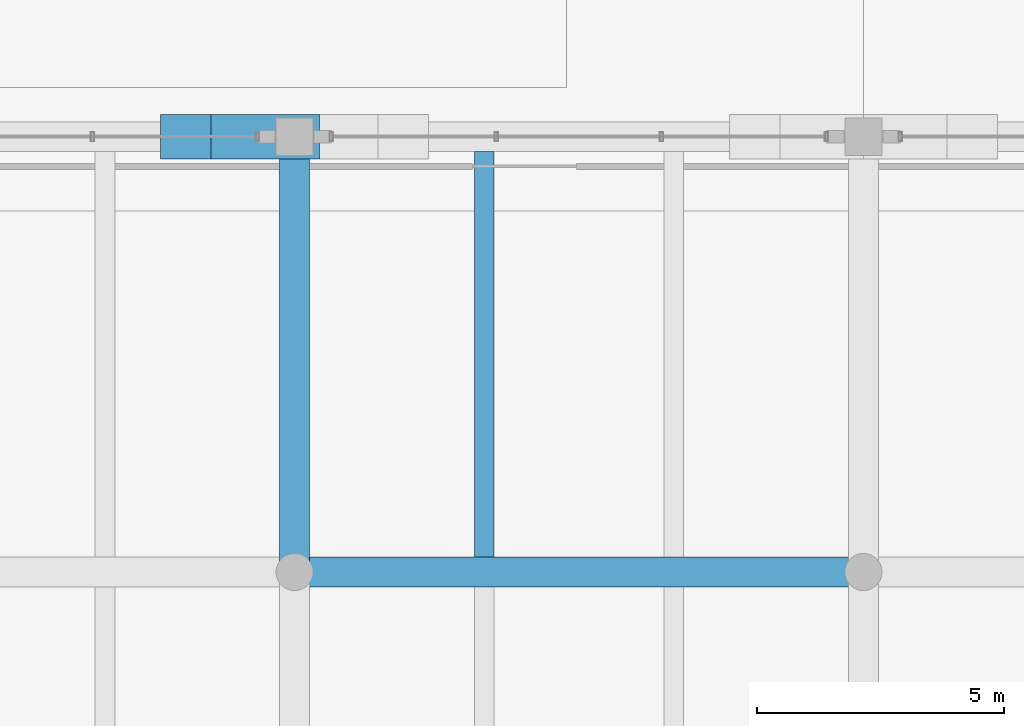
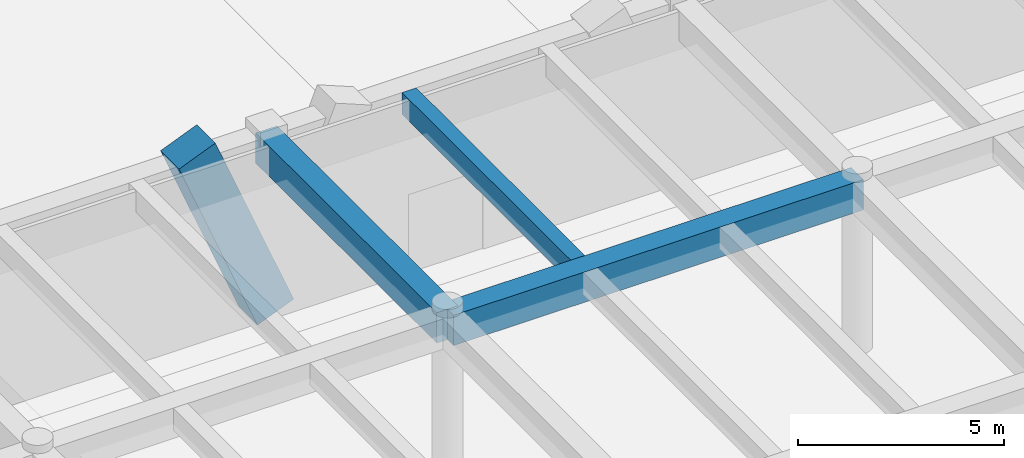
# One storey, part 33 of 148: 3 beams, 1 member.
"""IFC4 building model written with IfcOpenShell, lengths in metres."""

from ifc_helpers import new_model, si_unit, direction, frame, origin, origin_2d, place, context, subcontext, project, spatial, rectangle, extrude, material, material_profile, profile_set, type_object, element, save


model = new_model("IFC4")

# Units and contexts
model_context = context("Model", 3, precision=1e-05, world=origin(), true_north=direction((0.0, 1.0)))
body_context = subcontext(model_context, "Body", "Model", "MODEL_VIEW")
ifc_project = project(units=[si_unit("LENGTHUNIT", "METRE"), si_unit("AREAUNIT", "SQUARE_METRE"), si_unit("VOLUMEUNIT", "CUBIC_METRE"), si_unit("PLANEANGLEUNIT", "RADIAN"), si_unit("MASSUNIT", "GRAM", prefix="KILO")], contexts=[model_context])

# Site, building, storey
site_placement = place(None, origin())
site = spatial("IfcSite", under=ifc_project, at=site_placement, CompositionType="ELEMENT")
building_placement = place(site_placement, origin())
building = spatial("IfcBuilding", under=site, at=building_placement, Name="Ologun Quay Terminus", CompositionType="ELEMENT")
storey_placement = place(building_placement, frame((0.0, 0.0, 8.39990234375)))
storey = spatial("IfcBuildingStorey", under=building, at=storey_placement, Name="L02", CompositionType="ELEMENT", Elevation=8.39990234375)

# Member
ifc_material_1 = material(Name="Concrete C45/55", Category="concrete")
ifc_material_profile_1 = material_profile(ifc_material_1, rectangle(XDim=0.89990234375, YDim=1.10009765625, at=origin_2d()), Name="RC 900x1100")
ifc_profile_set_1 = profile_set([ifc_material_profile_1], Name="Concrete C45/55")
member_type = type_object("IfcMemberType", Name="Sculpted Concrete Arch V-Buttress Strut 900x1100", PredefinedType="STRUT", material=ifc_profile_set_1)
member_placement = place(storey_placement, frame((80.5, 36.0, 0.0), z_axis=(-0.377280927807, 0.0, 0.926098861631), x_axis=(0.0, -1.0, 0.0)))
element("IfcMember", 1, at=member_placement, inside=storey, type_object=member_type, Name="VS1 Arch V-Buttress West Limb 8/E", PredefinedType="STRUT", context=body_context, shape_type="SweptSolid", body=[
    extrude(rectangle(XDim=0.89990234375, YDim=1.10009765625, at=origin_2d()), origin(), (0.0, 0.0, 1.0), 5.8310546875),
])

# Beams
ifc_material_2 = material(Name="Concrete C40/50", Category="concrete")
ifc_material_profile_2 = material_profile(ifc_material_2, rectangle(XDim=0.60009765625, YDim=0.89990234375, at=origin_2d()), Name="RC 600x900")
ifc_profile_set_2 = profile_set([ifc_material_profile_2], Name="Concrete C40/50")
beam_type_1 = type_object("IfcBeamType", Name="Station Frame Girder 600x900", PredefinedType="BEAM", material=ifc_profile_set_2)
beam_1_placement = place(storey_placement, frame((80.5, 27.199951171875, 4.7001953125), z_axis=(1.0, 0.0, 0.0), x_axis=(0.0, 1.0, 0.0)))
element("IfcBeam", 2, at=beam_1_placement, inside=storey, type_object=beam_type_1, Name="B3 Beam 8/D L02", PredefinedType="BEAM", context=body_context, shape_type="SweptSolid", body=[
    extrude(rectangle(XDim=0.60009765625, YDim=0.89990234375, at=origin_2d()), origin(), (0.0, 0.0, 1.0), 11.5),
])
beam_2_placement = place(storey_placement, frame((80.5, 27.199951171875, 4.7001953125), z_axis=(0.0, 1.0, 0.0), x_axis=(-1.0, 0.0, 0.0)))
element("IfcBeam", 3, at=beam_2_placement, inside=storey, type_object=beam_type_1, Name="B3 Beam 8/D L02", PredefinedType="BEAM", context=body_context, shape_type="SweptSolid", body=[
    extrude(rectangle(XDim=0.60009765625, YDim=0.89990234375, at=origin_2d()), origin(), (0.0, 0.0, 1.0), 8.800048828125),
])
ifc_material_3 = material(Name="Concrete C40/50", Category="concrete")
ifc_material_profile_3 = material_profile(ifc_material_3, rectangle(XDim=0.39990234375, YDim=0.64990234375, at=origin_2d()), Name="RC 400x650")
ifc_profile_set_3 = profile_set([ifc_material_profile_3], Name="Concrete C40/50")
beam_type_2 = type_object("IfcBeamType", Name="Station Secondary Joist 400x650", PredefinedType="JOIST", material=ifc_profile_set_3)
beam_3_placement = place(storey_placement, frame((84.333251953125, 27.5, 4.8251953125), z_axis=(0.0, 1.0, 0.0), x_axis=(-1.0, 0.0, 0.0)))
element("IfcBeam", 4, at=beam_3_placement, inside=storey, type_object=beam_type_2, Name="J1 Beam 8/D L02", PredefinedType="JOIST", context=body_context, shape_type="SweptSolid", body=[
    extrude(rectangle(XDim=0.39990234375, YDim=0.64990234375, at=origin_2d()), origin(), (0.0, 0.0, 1.0), 8.199951171875),
])

save(model, "model.ifc")
